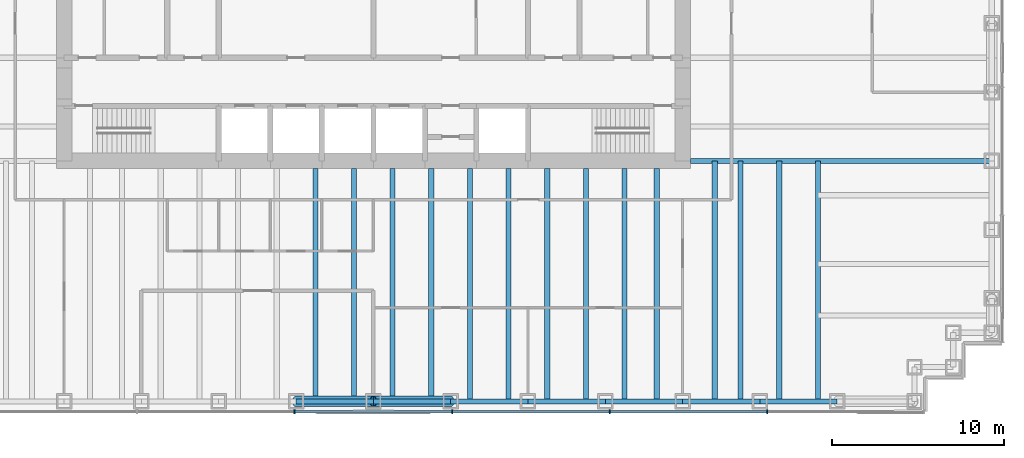
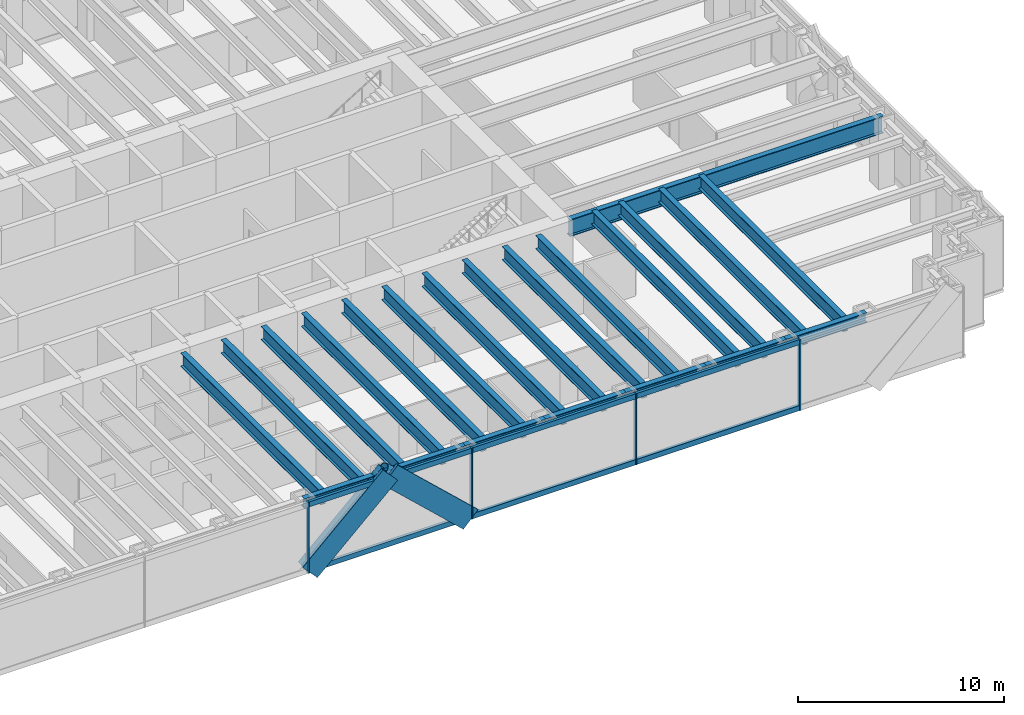
# One storey, part 4 of 17: 22 beams, 14 members, 1 element without a shape of its own.
"""IFC4 building model written with IfcOpenShell, lengths in metres."""

from ifc_helpers import new_model, si_unit, direction, frame, origin, origin_2d, place, context, subcontext, project, spatial, rectangle, hollow_circle, i_section, extrude, material, material_profile, profile_set, type_object, element, aggregate, save


model = new_model("IFC4")

# Units and contexts
model_context = context("Model", 3, precision=1e-05, world=origin(), true_north=direction((0.0, 1.0)))
body_context = subcontext(model_context, "Body", "Model", "MODEL_VIEW")
ifc_project = project(units=[si_unit("LENGTHUNIT", "METRE"), si_unit("AREAUNIT", "SQUARE_METRE"), si_unit("VOLUMEUNIT", "CUBIC_METRE"), si_unit("PLANEANGLEUNIT", "RADIAN"), si_unit("MASSUNIT", "GRAM", prefix="KILO")], contexts=[model_context])

# Site, building, storey
site_placement = place(None, origin())
site = spatial("IfcSite", under=ifc_project, at=site_placement, CompositionType="ELEMENT")
building_placement = place(site_placement, origin())
building = spatial("IfcBuilding", under=site, at=building_placement, Name="Rheinbord Bourse Tower", CompositionType="ELEMENT")
storey_placement = place(building_placement, frame((0.0, 0.0, 121.5)))
storey = spatial("IfcBuildingStorey", under=building, at=storey_placement, Name="L26", CompositionType="ELEMENT", Elevation=121.5)

# Curtain wall, members
ifc_material_1 = material(Name="Dark glass and black aluminium", Category="aluminium")
curtain_wall_type = type_object("IfcCurtainWallType", Name="CW2 DARK GLASS CURTAIN WALL", PredefinedType="USERDEFINED", material=ifc_material_1)
curtain_wall_placement = place(storey_placement, origin())
curtain_wall = element("IfcCurtainWall", 1, at=curtain_wall_placement, inside=storey, type_object=curtain_wall_type, Name="Curtain wall CW2 S L26", ObjectType="UNITISED CURTAIN WALL", PredefinedType="USERDEFINED")
ifc_material_2 = material(Name="Black anodised aluminium", Category="aluminium")
ifc_material_profile_1 = material_profile(ifc_material_2, rectangle(XDim=0.159912109375, YDim=1.2099609375, at=origin_2d()), Name="CW2 DIAGONAL MULLION 1210x160")
ifc_profile_set_1 = profile_set([ifc_material_profile_1], Name="Black anodised aluminium")
member_type_1 = type_object("IfcMemberType", Name="CW2 BLACK DIAGONAL MULLION", PredefinedType="USERDEFINED", material=ifc_profile_set_1)
member_1_placement = place(storey_placement, frame((31.5, 1.39990234375, 0.0), z_axis=(0.73105922506, 0.0, 0.682314010889), x_axis=(0.0, 1.0, 0.0)))
member_1 = element("IfcMember", 2, at=member_1_placement, type_object=member_type_1, Name="CW2 diagonal mullion c", ObjectType="DIAGONAL MULLION", PredefinedType="USERDEFINED", context=body_context, shape_type="SweptSolid", body=[
    extrude(rectangle(XDim=0.159912109375, YDim=1.2099609375, at=origin_2d()), origin(), (0.0, 0.0, 1.0), 6.155517578125),
])
member_2_placement = place(storey_placement, frame((40.5, 1.39990234375, 0.0), z_axis=(-0.73105922506, 0.0, 0.682314010889), x_axis=(0.0, -1.0, 0.0)))
member_2 = element("IfcMember", 3, at=member_2_placement, type_object=member_type_1, Name="CW2 diagonal mullion d", ObjectType="DIAGONAL MULLION", PredefinedType="USERDEFINED", context=body_context, shape_type="SweptSolid", body=[
    extrude(rectangle(XDim=0.159912109375, YDim=1.2099609375, at=origin_2d()), origin(), (0.0, 0.0, 1.0), 6.155517578125),
])
ifc_material_3 = material(Name="Black anodised aluminium", Category="aluminium")
ifc_material_profile_2 = material_profile(ifc_material_3, rectangle(XDim=0.219970703125, YDim=0.070068359375, at=origin_2d()), Name="CW2 MULLION 70x220")
ifc_profile_set_2 = profile_set([ifc_material_profile_2], Name="Black anodised aluminium")
member_type_2 = type_object("IfcMemberType", Name="CW2 BLACK MULLION", PredefinedType="MULLION", material=ifc_profile_set_2)
member_3_placement = place(storey_placement, frame((31.414306640625, 1.39990234375, 0.0), z_axis=(0.0, 0.0, 1.0), x_axis=(0.0, 1.0, 0.0)))
member_3 = element("IfcMember", 4, at=member_3_placement, type_object=member_type_2, Name="CW2 mullion 4", PredefinedType="MULLION", context=body_context, shape_type="SweptSolid", body=[
    extrude(rectangle(XDim=0.219970703125, YDim=0.070068359375, at=origin_2d()), origin(), (0.0, 0.0, 1.0), 4.199951171875),
])
member_4_placement = place(storey_placement, frame((40.585693359375, 1.39990234375, 0.0), z_axis=(0.0, 0.0, 1.0), x_axis=(0.0, 1.0, 0.0)))
member_4 = element("IfcMember", 5, at=member_4_placement, type_object=member_type_2, Name="CW2 mullion 5", PredefinedType="MULLION", context=body_context, shape_type="SweptSolid", body=[
    extrude(rectangle(XDim=0.219970703125, YDim=0.070068359375, at=origin_2d()), origin(), (0.0, 0.0, 1.0), 4.199951171875),
])
member_5_placement = place(storey_placement, frame((49.757080078125, 1.39990234375, 0.0), z_axis=(0.0, 0.0, 1.0), x_axis=(0.0, 1.0, 0.0)))
member_5 = element("IfcMember", 6, at=member_5_placement, type_object=member_type_2, Name="CW2 mullion 6", PredefinedType="MULLION", context=body_context, shape_type="SweptSolid", body=[
    extrude(rectangle(XDim=0.219970703125, YDim=0.070068359375, at=origin_2d()), origin(), (0.0, 0.0, 1.0), 4.199951171875),
])
member_6_placement = place(storey_placement, frame((58.928466796875, 1.39990234375, 0.0), z_axis=(0.0, 0.0, 1.0), x_axis=(0.0, 1.0, 0.0)))
member_6 = element("IfcMember", 7, at=member_6_placement, type_object=member_type_2, Name="CW2 mullion 7", PredefinedType="MULLION", context=body_context, shape_type="SweptSolid", body=[
    extrude(rectangle(XDim=0.219970703125, YDim=0.070068359375, at=origin_2d()), origin(), (0.0, 0.0, 1.0), 4.199951171875),
])
ifc_material_4 = material(Name="Black anodised aluminium", Category="aluminium")
ifc_material_profile_3 = material_profile(ifc_material_4, rectangle(XDim=0.159912109375, YDim=0.300048828125, at=origin_2d()), Name="CW2 TRANSOM 300x160")
ifc_profile_set_3 = profile_set([ifc_material_profile_3], Name="Black anodised aluminium")
member_type_3 = type_object("IfcMemberType", Name="CW2 BLACK TRANSOM", PredefinedType="USERDEFINED", material=ifc_profile_set_3)
member_7_placement = place(storey_placement, frame((31.44921875, 1.39990234375, 0.14990234375), z_axis=(1.0, 0.0, 0.0), x_axis=(0.0, 1.0, 0.0)))
member_7 = element("IfcMember", 8, at=member_7_placement, type_object=member_type_3, Name="CW2 transom 4.1", ObjectType="TRANSOM", PredefinedType="USERDEFINED", context=body_context, shape_type="SweptSolid", body=[
    extrude(rectangle(XDim=0.159912109375, YDim=0.300048828125, at=origin_2d()), origin(), (0.0, 0.0, 1.0), 9.1015625),
])
member_8_placement = place(storey_placement, frame((31.44921875, 1.39990234375, 4.050048828125), z_axis=(1.0, 0.0, 0.0), x_axis=(0.0, 1.0, 0.0)))
member_8 = element("IfcMember", 9, at=member_8_placement, type_object=member_type_3, Name="CW2 transom 4.2", ObjectType="TRANSOM", PredefinedType="USERDEFINED", context=body_context, shape_type="SweptSolid", body=[
    extrude(rectangle(XDim=0.159912109375, YDim=0.300048828125, at=origin_2d()), origin(), (0.0, 0.0, 1.0), 9.1015625),
])
member_9_placement = place(storey_placement, frame((40.62060546875, 1.39990234375, 0.14990234375), z_axis=(1.0, 0.0, 0.0), x_axis=(0.0, 1.0, 0.0)))
member_9 = element("IfcMember", 10, at=member_9_placement, type_object=member_type_3, Name="CW2 transom 5.1", ObjectType="TRANSOM", PredefinedType="USERDEFINED", context=body_context, shape_type="SweptSolid", body=[
    extrude(rectangle(XDim=0.159912109375, YDim=0.300048828125, at=origin_2d()), origin(), (0.0, 0.0, 1.0), 9.1015625),
])
member_10_placement = place(storey_placement, frame((40.62060546875, 1.39990234375, 4.050048828125), z_axis=(1.0, 0.0, 0.0), x_axis=(0.0, 1.0, 0.0)))
member_10 = element("IfcMember", 11, at=member_10_placement, type_object=member_type_3, Name="CW2 transom 5.2", ObjectType="TRANSOM", PredefinedType="USERDEFINED", context=body_context, shape_type="SweptSolid", body=[
    extrude(rectangle(XDim=0.159912109375, YDim=0.300048828125, at=origin_2d()), origin(), (0.0, 0.0, 1.0), 9.1015625),
])
member_11_placement = place(storey_placement, frame((49.792236328125, 1.39990234375, 0.14990234375), z_axis=(1.0, 0.0, 0.0), x_axis=(0.0, 1.0, 0.0)))
member_11 = element("IfcMember", 12, at=member_11_placement, type_object=member_type_3, Name="CW2 transom 6.1", ObjectType="TRANSOM", PredefinedType="USERDEFINED", context=body_context, shape_type="SweptSolid", body=[
    extrude(rectangle(XDim=0.159912109375, YDim=0.300048828125, at=origin_2d()), origin(), (0.0, 0.0, 1.0), 9.101318359375),
])
member_12_placement = place(storey_placement, frame((49.792236328125, 1.39990234375, 4.050048828125), z_axis=(1.0, 0.0, 0.0), x_axis=(0.0, 1.0, 0.0)))
member_12 = element("IfcMember", 13, at=member_12_placement, type_object=member_type_3, Name="CW2 transom 6.2", ObjectType="TRANSOM", PredefinedType="USERDEFINED", context=body_context, shape_type="SweptSolid", body=[
    extrude(rectangle(XDim=0.159912109375, YDim=0.300048828125, at=origin_2d()), origin(), (0.0, 0.0, 1.0), 9.101318359375),
])
aggregate(curtain_wall, [member_3, member_4, member_5, member_6, member_7, member_8, member_9, member_10, member_11, member_12, member_1, member_2])

# Beams
ifc_material_5 = material(Name="Steel S460", Category="steel")
ifc_material_profile_4 = material_profile(ifc_material_5, i_section(OverallWidth=0.300048828125, OverallDepth=0.800048828125, WebThickness=0.017578125, FlangeThickness=0.032958984375, at=origin_2d()), Name="HEB 800")
ifc_profile_set_4 = profile_set([ifc_material_profile_4], Name="Steel S460")
beam_type_1 = type_object("IfcBeamType", Name="FLOOR BEAM HEB 800", PredefinedType="BEAM", material=ifc_profile_set_4)
for number, where, z_axis, x_axis, name in (
    (14, (32.625, 2.0, 3.639892578125), (0.0, 1.0, 0.0), (-1.0, 0.0, 0.0), "Floor beam S-31.5a L27"),
    (15, (34.875, 2.0, 3.639892578125), (0.0, 1.0, 0.0), (-1.0, 0.0, 0.0), "Floor beam S-31.5b L27"),
    (16, (37.125, 2.0, 3.639892578125), (0.0, 1.0, 0.0), (-1.0, 0.0, 0.0), "Floor beam S-36a L27"),
    (17, (39.375, 2.0, 3.639892578125), (0.0, 1.0, 0.0), (-1.0, 0.0, 0.0), "Floor beam S-36b L27"),
    (18, (41.625, 2.0, 3.639892578125), (0.0, 1.0, 0.0), (-1.0, 0.0, 0.0), "Floor beam S-40.5a L27"),
    (19, (43.875, 2.0, 3.639892578125), (0.0, 1.0, 0.0), (-1.0, 0.0, 0.0), "Floor beam S-40.5b L27"),
    (20, (46.125, 2.0, 3.639892578125), (0.0, 1.0, 0.0), (-1.0, 0.0, 0.0), "Floor beam S-45a L27"),
    (21, (48.375, 2.0, 3.639892578125), (0.0, 1.0, 0.0), (-1.0, 0.0, 0.0), "Floor beam S-45b L27"),
    (22, (50.625, 2.0, 3.639892578125), (0.0, 1.0, 0.0), (-1.0, 0.0, 0.0), "Floor beam S-49.5a L27"),
    (23, (52.5, 2.0, 3.639892578125), (0.0, 1.0, 0.0), (-1.0, 0.0, 0.0), "Floor beam S-49.5b L27"),
):
    element("IfcBeam", number, at=place(storey_placement, frame(where, z_axis=z_axis, x_axis=x_axis)), inside=storey, type_object=beam_type_1, Name=name, PredefinedType="BEAM", context=body_context, shape_type="SweptSolid", body=[
        extrude(i_section(OverallWidth=0.300048828125, OverallDepth=0.800048828125, WebThickness=0.017578125, FlangeThickness=0.032958984375, at=origin_2d()), origin(), (0.0, 0.0, 1.0), 13.550048828125),
    ])
for number, where, z_axis, x_axis, name in (
    (24, (55.875, 2.0, 3.639892578125), (0.0, 1.0, 0.0), (-1.0, 0.0, 0.0), "Floor beam S-54a L27"),
    (25, (57.375, 2.0, 3.639892578125), (0.0, 1.0, 0.0), (-1.0, 0.0, 0.0), "Floor beam S-54b L27"),
    (26, (59.625, 2.0, 3.639892578125), (0.0, 1.0, 0.0), (-1.0, 0.0, 0.0), "Floor beam S-58.5a L27"),
    (27, (61.875, 2.0, 3.639892578125), (0.0, 1.0, 0.0), (-1.0, 0.0, 0.0), "Floor beam S-58.5b L27"),
):
    element("IfcBeam", number, at=place(storey_placement, frame(where, z_axis=z_axis, x_axis=x_axis)), inside=storey, type_object=beam_type_1, Name=name, PredefinedType="BEAM", context=body_context, shape_type="SweptSolid", body=[
        extrude(i_section(OverallWidth=0.300048828125, OverallDepth=0.800048828125, WebThickness=0.017578125, FlangeThickness=0.032958984375, at=origin_2d()), origin(), (0.0, 0.0, 1.0), 14.0),
    ])
ifc_material_6 = material(Name="Steel S460", Category="steel")
ifc_material_profile_5 = material_profile(ifc_material_6, i_section(OverallWidth=0.302001953125, OverallDepth=1.008056640625, WebThickness=0.02099609375, FlangeThickness=0.0400390625, at=origin_2d()), Name="HEM 1000")
ifc_profile_set_5 = profile_set([ifc_material_profile_5], Name="Steel S460")
beam_type_2 = type_object("IfcBeamType", Name="GIRDER HEM 1000", PredefinedType="BEAM", material=ifc_profile_set_5)
beam_placement = place(storey_placement, frame((54.449951171875, 16.0, 3.535888671875), z_axis=(1.0, 0.0, 0.0), x_axis=(0.0, 1.0, 0.0)))
element("IfcBeam", 28, at=beam_placement, inside=storey, type_object=beam_type_2, Name="Girder east 16 L27", PredefinedType="BEAM", context=body_context, shape_type="SweptSolid", body=[
    extrude(i_section(OverallWidth=0.302001953125, OverallDepth=1.008056640625, WebThickness=0.02099609375, FlangeThickness=0.0400390625, at=origin_2d()), origin(), (0.0, 0.0, 1.0), 17.550048828125),
])

# Members
ifc_material_7 = material(Name="Steel S460", Category="steel")
ifc_material_profile_6 = material_profile(ifc_material_7, hollow_circle(Radius=0.304931640625, WallThickness=0.0400390625, at=origin_2d()), Name="CHS 610x40")
ifc_profile_set_6 = profile_set([ifc_material_profile_6], Name="Steel S460")
member_type_4 = type_object("IfcMemberType", Name="MEGABRACE CHS 610x40", PredefinedType="BRACE", material=ifc_profile_set_6)
for number, where, z_axis, x_axis, name in (
    (29, (31.5, 2.0, 0.0), (0.73105922506, 0.0, 0.682314010889), (0.0, 1.0, 0.0), "Megabrace S face line c L26"),
    (30, (40.5, 2.0, 0.0), (-0.73105922506, 0.0, 0.682314010889), (0.0, -1.0, 0.0), "Megabrace S face line d L26"),
):
    element("IfcMember", number, at=place(storey_placement, frame(where, z_axis=z_axis, x_axis=x_axis)), inside=storey, type_object=member_type_4, Name=name, PredefinedType="BRACE", context=body_context, shape_type="SweptSolid", body=[
        extrude(hollow_circle(Radius=0.304931640625, WallThickness=0.0400390625, at=origin_2d()), origin(), (0.0, 0.0, 1.0), 6.155517578125),
    ])

# Beams
ifc_material_8 = material(Name="Steel S460", Category="steel")
ifc_material_profile_7 = material_profile(ifc_material_8, i_section(OverallWidth=0.305908203125, OverallDepth=0.572021484375, WebThickness=0.02099609375, FlangeThickness=0.0400390625, at=origin_2d()), Name="HEM 550")
ifc_profile_set_7 = profile_set([ifc_material_profile_7], Name="Steel S460")
beam_type_3 = type_object("IfcBeamType", Name="SPANDREL HEM 550", PredefinedType="SPANDREL", material=ifc_profile_set_7)
for number, where, z_axis, x_axis, name in (
    (31, (31.5, 2.0, 3.75390625), (1.0, 0.0, 0.0), (0.0, 1.0, 0.0), "Spandrel S-31.5-S-36 under L27"),
    (32, (36.0, 2.0, 3.75390625), (1.0, 0.0, 0.0), (0.0, 1.0, 0.0), "Spandrel S-36-S-40.5 under L27"),
    (33, (40.5, 2.0, 3.75390625), (1.0, 0.0, 0.0), (0.0, 1.0, 0.0), "Spandrel S-40.5-S-45 under L27"),
    (34, (45.0, 2.0, 3.75390625), (1.0, 0.0, 0.0), (0.0, 1.0, 0.0), "Spandrel S-45-S-49.5 under L27"),
    (35, (49.5, 2.0, 3.75390625), (1.0, 0.0, 0.0), (0.0, 1.0, 0.0), "Spandrel S-49.5-S-54 under L27"),
    (36, (54.0, 2.0, 3.75390625), (1.0, 0.0, 0.0), (0.0, 1.0, 0.0), "Spandrel S-54-S-58.5 under L27"),
    (37, (58.5, 2.0, 3.75390625), (1.0, 0.0, 0.0), (0.0, 1.0, 0.0), "Spandrel S-58.5-S-63 under L27"),
):
    element("IfcBeam", number, at=place(storey_placement, frame(where, z_axis=z_axis, x_axis=x_axis)), inside=storey, type_object=beam_type_3, Name=name, PredefinedType="SPANDREL", context=body_context, shape_type="SweptSolid", body=[
        extrude(i_section(OverallWidth=0.305908203125, OverallDepth=0.572021484375, WebThickness=0.02099609375, FlangeThickness=0.0400390625, at=origin_2d()), origin(), (0.0, 0.0, 1.0), 4.5),
    ])

save(model, "model.ifc")
